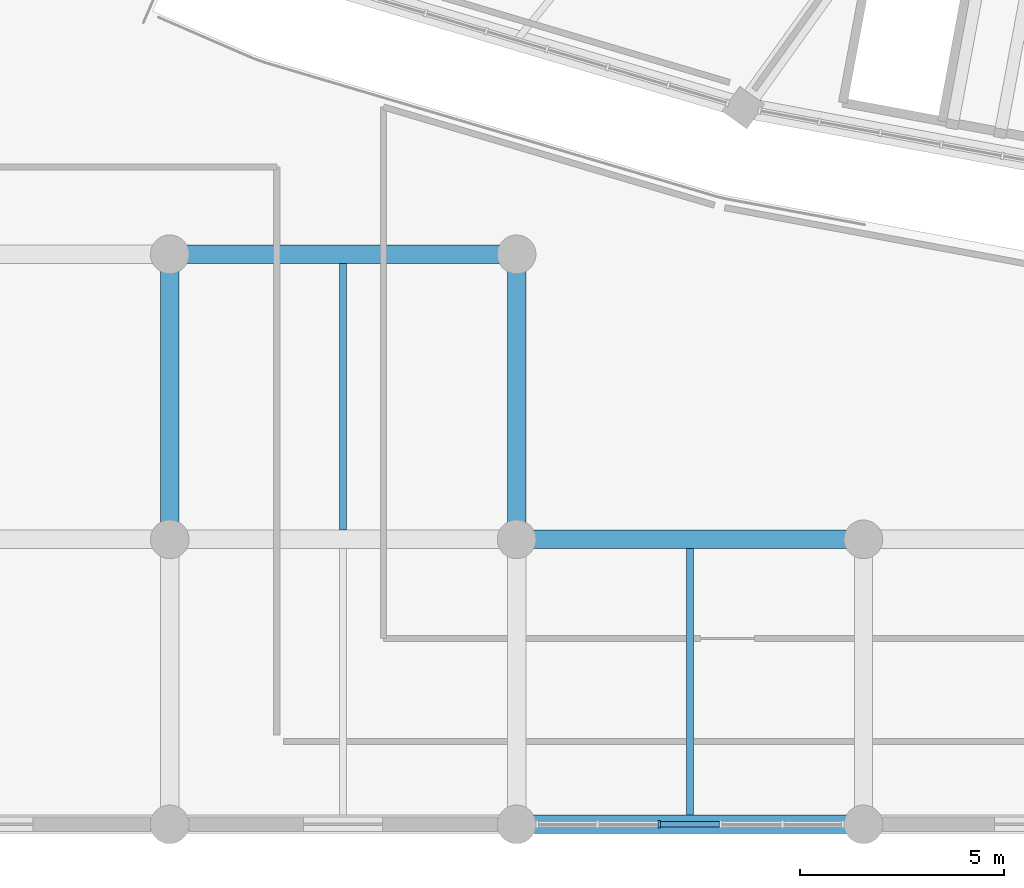
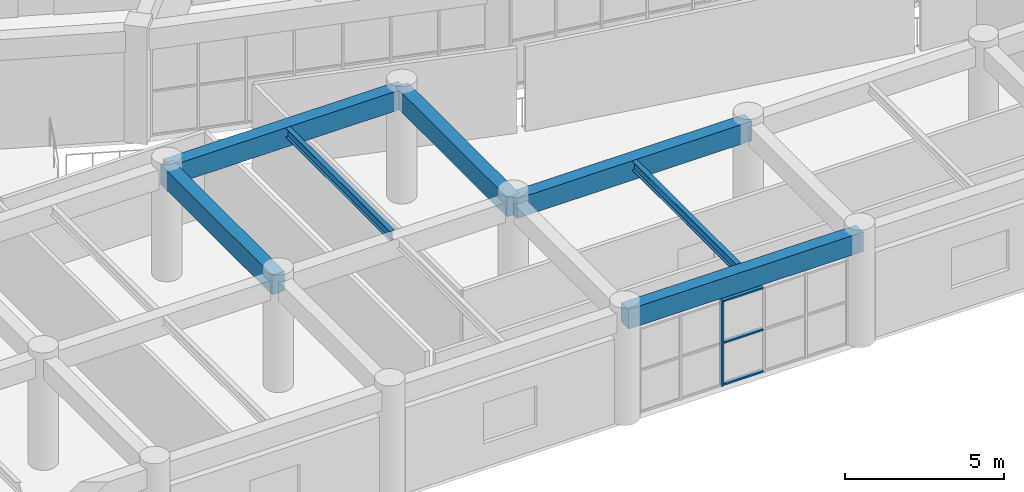
# One storey, part 14 of 141: 7 beams, 4 members, 1 element without a shape of its own.
"""IFC4 building model written with IfcOpenShell, lengths in metres."""

from ifc_helpers import new_model, si_unit, direction, frame, origin, origin_2d, place, context, subcontext, project, spatial, rectangle, i_section, extrude, material, layer, layer_set, material_profile, profile_set, type_object, element, aggregate, save


model = new_model("IFC4")

# Units and contexts
model_context = context("Model", 3, precision=1e-05, world=origin(), true_north=direction((0.0, 1.0)))
body_context = subcontext(model_context, "Body", "Model", "MODEL_VIEW")
ifc_project = project(units=[si_unit("LENGTHUNIT", "METRE"), si_unit("AREAUNIT", "SQUARE_METRE"), si_unit("VOLUMEUNIT", "CUBIC_METRE"), si_unit("PLANEANGLEUNIT", "RADIAN"), si_unit("MASSUNIT", "GRAM", prefix="KILO")], contexts=[model_context])

# Site, building, storey
site_placement = place(None, origin())
site = spatial("IfcSite", under=ifc_project, at=site_placement, CompositionType="ELEMENT")
building_placement = place(site_placement, origin())
building = spatial("IfcBuilding", under=site, at=building_placement, Name="Mphavela Belvedere Stadium", CompositionType="ELEMENT")
storey_placement = place(building_placement, frame((0.0, 0.0, 14.699951171875)))
storey = spatial("IfcBuildingStorey", under=building, at=storey_placement, Name="L03", CompositionType="ELEMENT", Elevation=14.699951171875)

# Beams
ifc_material_1 = material(Name="Steel S355", Category="steel")
ifc_material_profile_1 = material_profile(ifc_material_1, i_section(OverallWidth=0.169921875, OverallDepth=0.360107421875, WebThickness=0.008056640625, FlangeThickness=0.0126953125, at=origin_2d()), Name="IPE 360")
ifc_profile_set_1 = profile_set([ifc_material_profile_1], Name="Steel S355")
beam_type_1 = type_object("IfcBeamType", Name="BM-JOIST-IPE360", PredefinedType="JOIST", material=ifc_profile_set_1)
for number, where, z_axis, x_axis, name in (
    (1, (55.37060546875, 7.22509765625, 4.06005859375), (0.0, 1.0, 0.0), (-1.0, 0.0, 0.0), "South Axial Triumphal Peristyle Portico secondary joist L03 7-2"),
    (2, (63.888916015625, 0.22509765625, 4.06005859375), (0.0, 1.0, 0.0), (-1.0, 0.0, 0.0), "South Axial Triumphal Peristyle Portico secondary joist L03 8-1"),
):
    element("IfcBeam", number, at=place(storey_placement, frame(where, z_axis=z_axis, x_axis=x_axis)), inside=storey, type_object=beam_type_1, Name=name, PredefinedType="JOIST", context=body_context, shape_type="SweptSolid", body=[
        extrude(i_section(OverallWidth=0.169921875, OverallDepth=0.360107421875, WebThickness=0.008056640625, FlangeThickness=0.0126953125, at=origin_2d()), origin(), (0.0, 0.0, 1.0), 6.5498046875),
    ])
ifc_material_2 = material(Name="Concrete C40/50", Category="concrete")
ifc_material_profile_2 = material_profile(ifc_material_2, rectangle(XDim=0.449951171875, YDim=0.75, at=origin_2d()), Name="RC 450x750")
ifc_profile_set_2 = profile_set([ifc_material_profile_2], Name="Concrete C40/50")
beam_type_2 = type_object("IfcBeamType", Name="BM-RC450x750", PredefinedType="BEAM", material=ifc_profile_set_2)
beam_1_placement = place(storey_placement, frame((51.111083984375, 7.0, 3.864990234375), z_axis=(0.0, 1.0, 0.0), x_axis=(-1.0, 0.0, 0.0)))
element("IfcBeam", 3, at=beam_1_placement, inside=storey, type_object=beam_type_2, Name="South Axial Triumphal Peristyle Portico entablature beam Y L03 7-2", PredefinedType="BEAM", context=body_context, shape_type="SweptSolid", body=[
    extrude(rectangle(XDim=0.449951171875, YDim=0.75, at=origin_2d()), origin(), (0.0, 0.0, 1.0), 7.0),
])
beam_2_placement = place(storey_placement, frame((51.111083984375, 14.0, 3.864990234375), z_axis=(1.0, 0.0, 0.0), x_axis=(0.0, 1.0, 0.0)))
element("IfcBeam", 4, at=beam_2_placement, inside=storey, type_object=beam_type_2, Name="South Axial Triumphal Peristyle Portico entablature beam X L03 7-3", PredefinedType="BEAM", context=body_context, shape_type="SweptSolid", body=[
    extrude(rectangle(XDim=0.449951171875, YDim=0.75, at=origin_2d()), origin(), (0.0, 0.0, 1.0), 8.518798828125),
])
for number, where, z_axis, x_axis, name in (
    (5, (59.6298828125, 0.0, 3.864990234375), (1.0, 0.0, 0.0), (0.0, 1.0, 0.0), "South Axial Triumphal Peristyle Portico entablature beam X L03 8-1"),
    (6, (59.6298828125, 7.0, 3.864990234375), (1.0, 0.0, 0.0), (0.0, 1.0, 0.0), "South Axial Triumphal Peristyle Portico entablature beam X L03 8-2"),
):
    element("IfcBeam", number, at=place(storey_placement, frame(where, z_axis=z_axis, x_axis=x_axis)), inside=storey, type_object=beam_type_2, Name=name, PredefinedType="BEAM", context=body_context, shape_type="SweptSolid", body=[
        extrude(rectangle(XDim=0.449951171875, YDim=0.75, at=origin_2d()), origin(), (0.0, 0.0, 1.0), 8.51806640625),
    ])
beam_3_placement = place(storey_placement, frame((59.6298828125, 7.0, 3.864990234375), z_axis=(0.0, 1.0, 0.0), x_axis=(-1.0, 0.0, 0.0)))
element("IfcBeam", 7, at=beam_3_placement, inside=storey, type_object=beam_type_2, Name="South Axial Triumphal Peristyle Portico entablature beam Y L03 8-2", PredefinedType="BEAM", context=body_context, shape_type="SweptSolid", body=[
    extrude(rectangle(XDim=0.449951171875, YDim=0.75, at=origin_2d()), origin(), (0.0, 0.0, 1.0), 7.0),
])

# Curtain wall, members
ifc_material_3 = material(Name="Anodised bronze unitised curtain wall framing")
ifc_layer = layer(ifc_material_3, 0.205078125)
ifc_layer_set = layer_set([ifc_layer], Name="Anodised bronze unitised curtain wall framing")
curtain_wall_type = type_object("IfcCurtainWallType", Name="CW-UNIT-06", PredefinedType="USERDEFINED", material=ifc_layer_set)
curtain_wall_placement = place(storey_placement, origin())
curtain_wall = element("IfcCurtainWall", 8, at=curtain_wall_placement, inside=storey, type_object=curtain_wall_type, Name="South Axial Triumphal Peristyle Portico gallery curtain wall L03-08", ObjectType="UNITISED CURTAIN WALL", PredefinedType="USERDEFINED")
ifc_material_4 = material(Name="Anodised bronze extruded aluminium", Category="aluminium")
ifc_material_profile_3 = material_profile(ifc_material_4, rectangle(XDim=0.179931640625, YDim=0.06494140625, at=origin_2d()), Name="CW-MUL 180x65")
ifc_profile_set_3 = profile_set([ifc_material_profile_3], Name="Anodised bronze extruded aluminium")
member_type_1 = type_object("IfcMemberType", Name="CWM-180x65", PredefinedType="MULLION", material=ifc_profile_set_3)
member_1_placement = place(storey_placement, frame((63.1318359375, 0.0, 0.0), z_axis=(0.0, 0.0, 1.0), x_axis=(0.0, -1.0, 0.0)))
member_1 = element("IfcMember", 9, at=member_1_placement, type_object=member_type_1, Name="CW-06 mullion 4", PredefinedType="MULLION", context=body_context, shape_type="SweptSolid", body=[
    extrude(rectangle(XDim=0.179931640625, YDim=0.06494140625, at=origin_2d()), origin(), (0.0, 0.0, 1.0), 3.260009765625),
])
ifc_material_5 = material(Name="Anodised bronze extruded aluminium", Category="aluminium")
ifc_material_profile_4 = material_profile(ifc_material_5, rectangle(XDim=0.139892578125, YDim=0.06005859375, at=origin_2d()), Name="CW-TRN 140x60")
ifc_profile_set_4 = profile_set([ifc_material_profile_4], Name="Anodised bronze extruded aluminium")
member_type_2 = type_object("IfcMemberType", Name="CWT-140x60", PredefinedType="USERDEFINED", material=ifc_profile_set_4)
member_2_placement = place(storey_placement, frame((64.61376953125, 0.0, 0.030029296875), z_axis=(-1.0, 0.0, 0.0), x_axis=(0.0, -1.0, 0.0)))
member_2 = element("IfcMember", 10, at=member_2_placement, type_object=member_type_2, Name="CW-06 transom 3.1", ObjectType="TRANSOM", PredefinedType="USERDEFINED", context=body_context, shape_type="SweptSolid", body=[
    extrude(rectangle(XDim=0.139892578125, YDim=0.06005859375, at=origin_2d()), origin(), (0.0, 0.0, 1.0), 1.449462890625),
])
member_3_placement = place(storey_placement, frame((64.61376953125, 0.0, 1.630126953125), z_axis=(-1.0, 0.0, 0.0), x_axis=(0.0, -1.0, 0.0)))
member_3 = element("IfcMember", 11, at=member_3_placement, type_object=member_type_2, Name="CW-06 transom 3.2", ObjectType="TRANSOM", PredefinedType="USERDEFINED", context=body_context, shape_type="SweptSolid", body=[
    extrude(rectangle(XDim=0.139892578125, YDim=0.06005859375, at=origin_2d()), origin(), (0.0, 0.0, 1.0), 1.449462890625),
])
member_4_placement = place(storey_placement, frame((64.61376953125, 0.0, 3.22998046875), z_axis=(-1.0, 0.0, 0.0), x_axis=(0.0, -1.0, 0.0)))
member_4 = element("IfcMember", 12, at=member_4_placement, type_object=member_type_2, Name="CW-06 transom 3.3", ObjectType="TRANSOM", PredefinedType="USERDEFINED", context=body_context, shape_type="SweptSolid", body=[
    extrude(rectangle(XDim=0.139892578125, YDim=0.06005859375, at=origin_2d()), origin(), (0.0, 0.0, 1.0), 1.449462890625),
])
aggregate(curtain_wall, [member_1, member_2, member_3, member_4])

save(model, "model.ifc")
